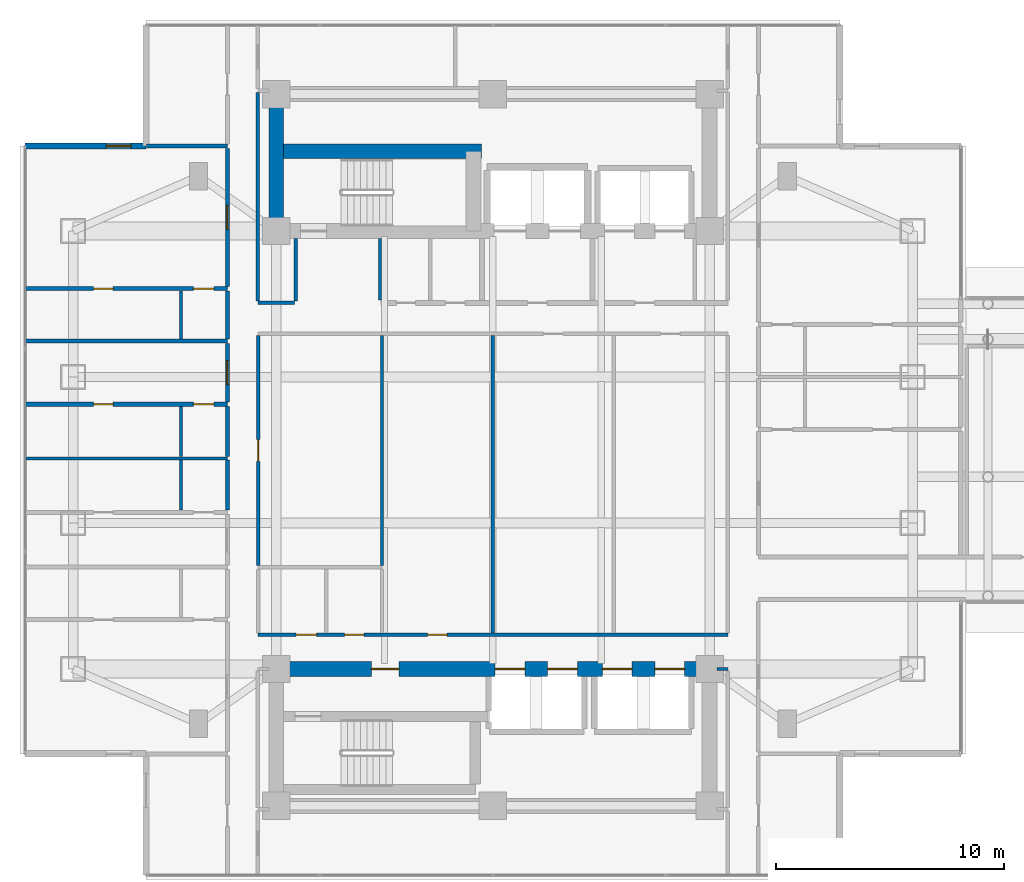
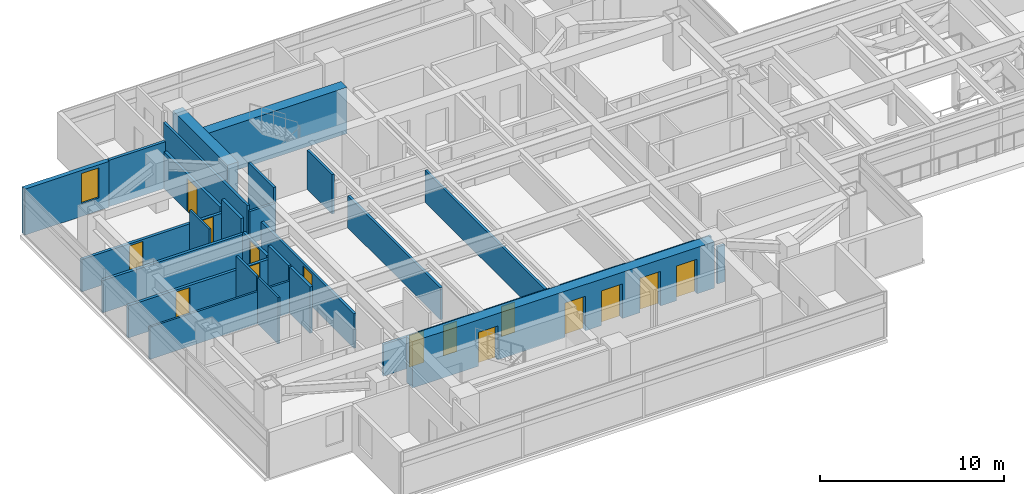
# One storey, part 16 of 28: 26 walls, 15 doors, 1 window, 16 openings.
"""IFC4 building model written with IfcOpenShell, lengths in metres."""

from ifc_helpers import new_model, si_unit, direction, frame, frame_2d, origin, place, context, subcontext, project, spatial, rectangle, extrude, material, layer, layer_set, type_object, element, fill, save


model = new_model("IFC4")

# Units and contexts
model_context = context("Model", 3, precision=1e-05, world=origin(), true_north=direction((0.0, 1.0)))
body_context = subcontext(model_context, "Body", "Model", "MODEL_VIEW")
ifc_project = project(units=[si_unit("LENGTHUNIT", "METRE"), si_unit("AREAUNIT", "SQUARE_METRE"), si_unit("VOLUMEUNIT", "CUBIC_METRE"), si_unit("PLANEANGLEUNIT", "RADIAN"), si_unit("MASSUNIT", "GRAM", prefix="KILO")], contexts=[model_context])

# Site, building, storey
site_placement = place(None, origin())
site = spatial("IfcSite", under=ifc_project, at=site_placement, CompositionType="ELEMENT")
building_placement = place(site_placement, origin())
building = spatial("IfcBuilding", under=site, at=building_placement, Name="Mirazonda Arch Towers", CompositionType="ELEMENT")
storey_placement = place(building_placement, frame((0.0, 0.0, 91.699951171875)))
storey = spatial("IfcBuildingStorey", under=building, at=storey_placement, Name="L25", CompositionType="ELEMENT", Elevation=91.699951171875)

# Walls
ifc_material_1 = material(Name="Concrete C60/75", Category="concrete")
ifc_layer_1 = layer(ifc_material_1, 0.64990234375, Name="WALL-CORE-650")
ifc_layer_set_1 = layer_set([ifc_layer_1], Name="Concrete C60/75")
wall_type_1 = type_object("IfcWallType", Name="WALL-CORE-650", PredefinedType="SHEAR", material=ifc_layer_set_1)
wall_1_placement = place(storey_placement, frame((11.0, 37.60009765625, 0.0), z_axis=(0.0, 0.0, 1.0), x_axis=(0.0, 1.0, 0.0)))
element("IfcWall", 1, at=wall_1_placement, inside=storey, type_object=wall_type_1, Name="L25 T1N-W Core Shear Wall", PredefinedType="SHEAR", context=body_context, shape_type="SweptSolid", body=[
    extrude(rectangle(XDim=6.0, YDim=0.64990234375, at=frame_2d((3.0, 0.0))), origin(), (0.0, 0.0, 1.0), 3.080078125),
])
wall_2_placement = place(storey_placement, frame((11.0, 41.093017578125, 0.0), z_axis=(0.0, 0.0, 1.0), x_axis=(1.0, 0.0, 0.0)))
element("IfcWall", 2, at=wall_2_placement, inside=storey, type_object=wall_type_1, Name="L25 T1N-STN Core Shear Wall", PredefinedType="SHEAR", context=body_context, shape_type="SweptSolid", body=[
    extrude(rectangle(XDim=9.0, YDim=0.64990234375, at=frame_2d((4.5, 0.0))), origin(), (0.0, 0.0, 1.0), 3.080078125),
])

# Wall, openings, doors
wall_3_placement = place(storey_placement, frame((11.0, 18.39990234375, 0.0), z_axis=(0.0, 0.0, 1.0), x_axis=(1.0, 0.0, 0.0)))
wall_3 = element("IfcWall", 3, at=wall_3_placement, inside=storey, type_object=wall_type_1, Name="L25 T1S-N Core Shear Wall", PredefinedType="SHEAR", context=body_context, shape_type="SweptSolid", body=[
    extrude(rectangle(XDim=19.0, YDim=0.64990234375, at=frame_2d((9.5, 0.0))), origin(), (0.0, 0.0, 1.0), 3.080078125),
])
opening_1_placement = place(wall_3_placement, frame((4.175048828125, 0.0, 0.0)))
opening_1 = element("IfcOpeningElement", 4, at=opening_1_placement, cuts=wall_3, Name="Opening DR-117", PredefinedType="OPENING", context=body_context, shape_type="SweptSolid", body=[
    extrude(rectangle(XDim=1.199951171875, YDim=2.25, at=frame_2d((0.60009765625, 1.125))), frame((0.0, 0.3349609375, 0.0), z_axis=(0.0, -1.0, 0.0), x_axis=(1.0, 0.0, 0.0)), (0.0, 0.0, 1.0), 0.669921875),
])
opening_2_placement = place(wall_3_placement, frame((9.60009765625, 0.0, 0.0)))
opening_2 = element("IfcOpeningElement", 5, at=opening_2_placement, cuts=wall_3, Name="Opening LD-111", PredefinedType="OPENING", context=body_context, shape_type="SweptSolid", body=[
    extrude(rectangle(XDim=1.300048828125, YDim=2.300048828125, at=frame_2d((0.64990234375, 1.14990234375))), frame((0.0, 0.3349609375, 0.0), z_axis=(0.0, -1.0, 0.0), x_axis=(1.0, 0.0, 0.0)), (0.0, 0.0, 1.0), 0.669921875),
])
opening_3_placement = place(wall_3_placement, frame((11.89990234375, 0.0, 0.0)))
opening_3 = element("IfcOpeningElement", 6, at=opening_3_placement, cuts=wall_3, Name="Opening LD-111", PredefinedType="OPENING", context=body_context, shape_type="SweptSolid", body=[
    extrude(rectangle(XDim=1.300048828125, YDim=2.300048828125, at=frame_2d((0.64990234375, 1.14990234375))), frame((0.0, 0.3349609375, 0.0), z_axis=(0.0, -1.0, 0.0), x_axis=(1.0, 0.0, 0.0)), (0.0, 0.0, 1.0), 0.669921875),
])
opening_4_placement = place(wall_3_placement, frame((14.300048828125, 0.0, 0.0)))
opening_4 = element("IfcOpeningElement", 7, at=opening_4_placement, cuts=wall_3, Name="Opening LD-111", PredefinedType="OPENING", context=body_context, shape_type="SweptSolid", body=[
    extrude(rectangle(XDim=1.300048828125, YDim=2.300048828125, at=frame_2d((0.64990234375, 1.14990234375))), frame((0.0, 0.3349609375, 0.0), z_axis=(0.0, -1.0, 0.0), x_axis=(1.0, 0.0, 0.0)), (0.0, 0.0, 1.0), 0.669921875),
])
opening_5_placement = place(wall_3_placement, frame((16.60009765625, 0.0, 0.0)))
opening_5 = element("IfcOpeningElement", 8, at=opening_5_placement, cuts=wall_3, Name="Opening LD-111", PredefinedType="OPENING", context=body_context, shape_type="SweptSolid", body=[
    extrude(rectangle(XDim=1.300048828125, YDim=2.300048828125, at=frame_2d((0.64990234375, 1.14990234375))), frame((0.0, 0.3349609375, 0.0), z_axis=(0.0, -1.0, 0.0), x_axis=(1.0, 0.0, 0.0)), (0.0, 0.0, 1.0), 0.669921875),
])
ifc_material_2 = material(Name="Architectural Brushed Steel S355", Category="steel")
door_type_1 = type_object("IfcDoorType", Name="DOOR-FFL-FD90-1200", OperationType="NOTDEFINED", PredefinedType="DOOR", material=ifc_material_2)
door_1_placement = place(opening_1_placement, origin())
door_1 = element("IfcDoor", 9, at=door_1_placement, inside=storey, type_object=door_type_1, Name="L25 South Core Stair & Lift Lobby Door", OperationType="SINGLE_SWING_LEFT", OverallHeight=2.25, OverallWidth=1.199951171875, PredefinedType="DOOR", context=body_context, shape_type="SweptSolid", body=[
    extrude(rectangle(XDim=1.199951171875, YDim=2.25, at=frame_2d((0.60009765625, 1.125))), frame((0.0, 0.02490234375, 0.0), z_axis=(0.0, -1.0, 0.0), x_axis=(1.0, 0.0, 0.0)), (0.0, 0.0, 1.0), 0.050048828125),
])
fill(opening_1, door_1)
door_type_2 = type_object("IfcDoorType", Name="DOOR-LIFT-LAND-1300", OperationType="NOTDEFINED", PredefinedType="DOOR", material=ifc_material_2)
door_2_placement = place(opening_2_placement, origin())
door_2 = element("IfcDoor", 10, at=door_2_placement, inside=storey, type_object=door_type_2, Name="L25 Lift Landing Sliding Door PL-T1M1", OperationType="DOUBLE_DOOR_SLIDING", OverallHeight=2.300048828125, OverallWidth=1.300048828125, PredefinedType="DOOR", context=body_context, shape_type="SweptSolid", body=[
    extrude(rectangle(XDim=1.300048828125, YDim=2.300048828125, at=frame_2d((0.64990234375, 1.14990234375))), frame((0.0, 0.02490234375, 0.0), z_axis=(0.0, -1.0, 0.0), x_axis=(1.0, 0.0, 0.0)), (0.0, 0.0, 1.0), 0.050048828125),
])
fill(opening_2, door_2)
door_3_placement = place(opening_3_placement, origin())
door_3 = element("IfcDoor", 11, at=door_3_placement, inside=storey, type_object=door_type_2, Name="L25 Lift Landing Sliding Door PL-T1M2", OperationType="DOUBLE_DOOR_SLIDING", OverallHeight=2.300048828125, OverallWidth=1.300048828125, PredefinedType="DOOR", context=body_context, shape_type="SweptSolid", body=[
    extrude(rectangle(XDim=1.300048828125, YDim=2.300048828125, at=frame_2d((0.64990234375, 1.14990234375))), frame((0.0, 0.02490234375, 0.0), z_axis=(0.0, -1.0, 0.0), x_axis=(1.0, 0.0, 0.0)), (0.0, 0.0, 1.0), 0.050048828125),
])
fill(opening_3, door_3)
door_4_placement = place(opening_4_placement, origin())
door_4 = element("IfcDoor", 12, at=door_4_placement, inside=storey, type_object=door_type_2, Name="L25 Lift Landing Sliding Door PL-T1H1", OperationType="DOUBLE_DOOR_SLIDING", OverallHeight=2.300048828125, OverallWidth=1.300048828125, PredefinedType="DOOR", context=body_context, shape_type="SweptSolid", body=[
    extrude(rectangle(XDim=1.300048828125, YDim=2.300048828125, at=frame_2d((0.64990234375, 1.14990234375))), frame((0.0, 0.02490234375, 0.0), z_axis=(0.0, -1.0, 0.0), x_axis=(1.0, 0.0, 0.0)), (0.0, 0.0, 1.0), 0.050048828125),
])
fill(opening_4, door_4)
door_5_placement = place(opening_5_placement, origin())
door_5 = element("IfcDoor", 13, at=door_5_placement, inside=storey, type_object=door_type_2, Name="L25 Lift Landing Sliding Door PL-T1H2", OperationType="DOUBLE_DOOR_SLIDING", OverallHeight=2.300048828125, OverallWidth=1.300048828125, PredefinedType="DOOR", context=body_context, shape_type="SweptSolid", body=[
    extrude(rectangle(XDim=1.300048828125, YDim=2.300048828125, at=frame_2d((0.64990234375, 1.14990234375))), frame((0.0, 0.02490234375, 0.0), z_axis=(0.0, -1.0, 0.0), x_axis=(1.0, 0.0, 0.0)), (0.0, 0.0, 1.0), 0.050048828125),
])
fill(opening_5, door_5)

# Wall, opening, window
ifc_material_3 = material(Name="Precast Concrete C40/50", Category="concrete")
ifc_layer_2 = layer(ifc_material_3, 0.280029296875, Name="WALL-EXT-WALL-280")
ifc_layer_set_2 = layer_set([ifc_layer_2], Name="Precast Concrete C40/50")
wall_type_2 = type_object("IfcWallType", Name="WALL-EXT-WALL-280", PredefinedType="SOLIDWALL", material=ifc_layer_set_2)
wall_4_placement = place(storey_placement, frame((5.294921875, 41.322998046875, 0.0), z_axis=(0.0, 0.0, 1.0), x_axis=(-1.0, 0.0, 0.0)))
wall_4 = element("IfcWall", 14, at=wall_4_placement, inside=storey, type_object=wall_type_2, Name="L25 T1 Corner Notch Return Wall WL-L25-T1-CNW1", PredefinedType="SOLIDWALL", context=body_context, shape_type="SweptSolid", body=[
    extrude(rectangle(XDim=5.304931640625, YDim=0.280029296875, at=frame_2d((2.65234375, 0.0))), origin(), (0.0, 0.0, 1.0), 3.06005859375),
])
opening_6_placement = place(wall_4_placement, frame((0.64990234375, 0.0, 0.85009765625)))
opening_6 = element("IfcOpeningElement", 15, at=opening_6_placement, cuts=wall_4, Name="Opening WN-108", PredefinedType="OPENING", context=body_context, shape_type="SweptSolid", body=[
    extrude(rectangle(XDim=1.10009765625, YDim=2.0, at=frame_2d((0.550048828125, 1.0))), frame((0.0, 0.14990234375, 0.0), z_axis=(0.0, -1.0, 0.0), x_axis=(1.0, 0.0, 0.0)), (0.0, 0.0, 1.0), 0.300048828125),
])
ifc_material_4 = material(Name="Insulated Low-E Solar Glass", Category="glass")
window_type = type_object("IfcWindowType", Name="WIN-NOTCH-1100x2000", PartitioningType="SINGLE_PANEL", PredefinedType="WINDOW", material=ifc_material_4)
window_placement = place(opening_6_placement, origin())
window = element("IfcWindow", 16, at=window_placement, inside=storey, type_object=window_type, Name="L25 Punched Facade Window WN-L25-T1-CNW1", OverallHeight=2.0, OverallWidth=1.10009765625, PartitioningType="SINGLE_PANEL", PredefinedType="WINDOW", context=body_context, shape_type="SweptSolid", body=[
    extrude(rectangle(XDim=1.10009765625, YDim=2.0, at=frame_2d((0.550048828125, 1.0))), frame((0.0, 0.030029296875, 0.0), z_axis=(0.0, -1.0, 0.0), x_axis=(1.0, 0.0, 0.0)), (0.0, 0.0, 1.0), 0.06005859375),
])
fill(opening_6, window)

# Wall
ifc_material_5 = material(Name="Fire-Rated Gypsum Stud Partition")
ifc_layer_3 = layer(ifc_material_5, 0.14990234375, Name="WALL-PART-CORR-150")
ifc_layer_set_3 = layer_set([ifc_layer_3], Name="Fire-Rated Gypsum Stud Partition")
wall_type_3 = type_object("IfcWallType", Name="WALL-PART-CORR-150", PredefinedType="PARTITIONING", material=ifc_layer_set_3)
wall_5_placement = place(storey_placement, frame((30.320068359375, 18.39990234375, 0.0), z_axis=(0.0, 0.0, 1.0), x_axis=(1.0, 0.0, 0.0)))
element("IfcWall", 17, at=wall_5_placement, inside=storey, type_object=wall_type_3, Name="L25 Interior Partition 013", PredefinedType="PARTITIONING", context=body_context, shape_type="SweptSolid", body=[
    extrude(rectangle(XDim=0.47998046875, YDim=0.14990234375, at=frame_2d((0.239990234375, 0.0))), origin(), (0.0, 0.0, 1.0), 2.4560546875),
])

# Wall, openings, doors
wall_6_placement = place(storey_placement, frame((10.199951171875, 19.89990234375, 0.0), z_axis=(0.0, 0.0, 1.0), x_axis=(1.0, 0.0, 0.0)))
wall_6 = element("IfcWall", 18, at=wall_6_placement, inside=storey, type_object=wall_type_3, Name="L25 Interior Partition 015", PredefinedType="PARTITIONING", context=body_context, shape_type="SweptSolid", body=[
    extrude(rectangle(XDim=20.60009765625, YDim=0.14990234375, at=frame_2d((10.300048828125, 0.0))), origin(), (0.0, 0.0, 1.0), 2.1240234375),
])
opening_7_placement = place(wall_6_placement, frame((1.669921875, 0.0, 0.0)))
opening_7 = element("IfcOpeningElement", 19, at=opening_7_placement, cuts=wall_6, Name="Opening DR-120", PredefinedType="OPENING", context=body_context, shape_type="SweptSolid", body=[
    extrude(rectangle(XDim=0.89990234375, YDim=2.10009765625, at=frame_2d((0.449951171875, 1.050048828125))), frame((0.0, 0.0849609375, 0.0), z_axis=(0.0, -1.0, 0.0), x_axis=(1.0, 0.0, 0.0)), (0.0, 0.0, 1.0), 0.169921875),
])
opening_8_placement = place(wall_6_placement, frame((3.794921875, 0.0, 0.0)))
opening_8 = element("IfcOpeningElement", 20, at=opening_8_placement, cuts=wall_6, Name="Opening DR-128", PredefinedType="OPENING", context=body_context, shape_type="SweptSolid", body=[
    extrude(rectangle(XDim=0.85009765625, YDim=2.010009765625, at=frame_2d((0.425048828125, 1.0048828125))), frame((0.0, 0.0849609375, 0.0), z_axis=(0.0, -1.0, 0.0), x_axis=(1.0, 0.0, 0.0)), (0.0, 0.0, 1.0), 0.169921875),
])
opening_9_placement = place(wall_6_placement, frame((7.4404296875, 0.0, 0.0)))
opening_9 = element("IfcOpeningElement", 21, at=opening_9_placement, cuts=wall_6, Name="Opening DR-128", PredefinedType="OPENING", context=body_context, shape_type="SweptSolid", body=[
    extrude(rectangle(XDim=0.85009765625, YDim=2.010009765625, at=frame_2d((0.425048828125, 1.0048828125))), frame((0.0, 0.0849609375, 0.0), z_axis=(0.0, -1.0, 0.0), x_axis=(1.0, 0.0, 0.0)), (0.0, 0.0, 1.0), 0.169921875),
])
door_type_3 = type_object("IfcDoorType", Name="DOOR-RISER-FD60-850", OperationType="NOTDEFINED", PredefinedType="DOOR", material=ifc_material_2)
door_6_placement = place(opening_8_placement, origin())
door_6 = element("IfcDoor", 22, at=door_6_placement, inside=storey, type_object=door_type_3, Name="L25 L25 West Courtyard Study Door", OperationType="SINGLE_SWING_RIGHT", OverallHeight=2.010009765625, OverallWidth=0.85009765625, PredefinedType="DOOR", context=body_context, shape_type="SweptSolid", body=[
    extrude(rectangle(XDim=0.85009765625, YDim=2.010009765625, at=frame_2d((0.425048828125, 1.0048828125))), frame((0.0, 0.02490234375, 0.0), z_axis=(0.0, -1.0, 0.0), x_axis=(1.0, 0.0, 0.0)), (0.0, 0.0, 1.0), 0.050048828125),
])
fill(opening_8, door_6)
door_7_placement = place(opening_9_placement, origin())
door_7 = element("IfcDoor", 23, at=door_7_placement, inside=storey, type_object=door_type_3, Name="L25 Executive Club Lounge Door", OperationType="SINGLE_SWING_RIGHT", OverallHeight=2.010009765625, OverallWidth=0.85009765625, PredefinedType="DOOR", context=body_context, shape_type="SweptSolid", body=[
    extrude(rectangle(XDim=0.85009765625, YDim=2.010009765625, at=frame_2d((0.425048828125, 1.0048828125))), frame((0.0, 0.02490234375, 0.0), z_axis=(0.0, -1.0, 0.0), x_axis=(1.0, 0.0, 0.0)), (0.0, 0.0, 1.0), 0.050048828125),
])
fill(opening_9, door_7)
door_type_4 = type_object("IfcDoorType", Name="DOOR-WC-900", OperationType="NOTDEFINED", PredefinedType="DOOR", material=ifc_material_2)
door_8_placement = place(opening_7_placement, origin())
door_8 = element("IfcDoor", 24, at=door_8_placement, inside=storey, type_object=door_type_4, Name="L25 Common Accessible WC Door", OperationType="SINGLE_SWING_LEFT", OverallHeight=2.10009765625, OverallWidth=0.89990234375, PredefinedType="DOOR", context=body_context, shape_type="SweptSolid", body=[
    extrude(rectangle(XDim=0.89990234375, YDim=2.10009765625, at=frame_2d((0.449951171875, 1.050048828125))), frame((0.0, 0.02490234375, 0.0), z_axis=(0.0, -1.0, 0.0), x_axis=(1.0, 0.0, 0.0)), (0.0, 0.0, 1.0), 0.050048828125),
])
fill(opening_7, door_8)

# Wall
wall_7_placement = place(storey_placement, frame((10.199951171875, 34.449951171875, 0.0), z_axis=(0.0, 0.0, 1.0), x_axis=(1.0, 0.0, 0.0)))
element("IfcWall", 25, at=wall_7_placement, inside=storey, type_object=wall_type_3, Name="L25 Interior Partition 048", PredefinedType="PARTITIONING", context=body_context, shape_type="SweptSolid", body=[
    extrude(rectangle(XDim=1.60009765625, YDim=0.14990234375, at=frame_2d((0.800048828125, 0.0))), origin(), (0.0, 0.0, 1.0), 2.1240234375),
])

# Wall, opening, door
wall_8_placement = place(storey_placement, frame((10.206787109375, 22.93505859375, 0.0), z_axis=(0.0, 0.0, 1.0), x_axis=(0.0, 1.0, 0.0)))
wall_8 = element("IfcWall", 26, at=wall_8_placement, inside=storey, type_object=wall_type_3, Name="L25 Interior Partition 082", PredefinedType="PARTITIONING", context=body_context, shape_type="SweptSolid", body=[
    extrude(rectangle(XDim=10.079833984375, YDim=0.14990234375, at=frame_2d((5.0400390625, 0.0))), origin(), (0.0, 0.0, 1.0), 2.299072265625),
])
opening_10_placement = place(wall_8_placement, frame((4.56494140625, 0.0, 0.0)))
opening_10 = element("IfcOpeningElement", 27, at=opening_10_placement, cuts=wall_8, Name="Opening DR-104", PredefinedType="OPENING", context=body_context, shape_type="SweptSolid", body=[
    extrude(rectangle(XDim=0.949951171875, YDim=2.14990234375, at=frame_2d((0.47509765625, 1.074951171875))), frame((0.0, 0.0849609375, 0.0), z_axis=(0.0, -1.0, 0.0), x_axis=(1.0, 0.0, 0.0)), (0.0, 0.0, 1.0), 0.169921875),
])
door_type_5 = type_object("IfcDoorType", Name="DOOR-ROOM-950", OperationType="NOTDEFINED", PredefinedType="DOOR", material=ifc_material_2)
door_9_placement = place(opening_10_placement, origin())
door_9 = element("IfcDoor", 28, at=door_9_placement, inside=storey, type_object=door_type_5, Name="L25 L25 West Courtyard Salon Door", OperationType="SINGLE_SWING_LEFT", OverallHeight=2.14990234375, OverallWidth=0.949951171875, PredefinedType="DOOR", context=body_context, shape_type="SweptSolid", body=[
    extrude(rectangle(XDim=0.949951171875, YDim=2.14990234375, at=frame_2d((0.47509765625, 1.074951171875))), frame((0.0, 0.02490234375, 0.0), z_axis=(0.0, -1.0, 0.0), x_axis=(1.0, 0.0, 0.0)), (0.0, 0.0, 1.0), 0.050048828125),
])
fill(opening_10, door_9)

# Walls
wall_9_placement = place(storey_placement, frame((10.199951171875, 34.534912109375, 0.0), z_axis=(0.0, 0.0, 1.0), x_axis=(0.0, 1.0, 0.0)))
element("IfcWall", 29, at=wall_9_placement, inside=storey, type_object=wall_type_3, Name="L25 Interior Partition 083", PredefinedType="PARTITIONING", context=body_context, shape_type="SweptSolid", body=[
    extrude(rectangle(XDim=9.130126953125, YDim=0.14990234375, at=frame_2d((4.56494140625, 0.0))), origin(), (0.0, 0.0, 1.0), 2.4560546875),
])
wall_10_placement = place(storey_placement, frame((11.85009765625, 34.534912109375, 0.0), z_axis=(0.0, 0.0, 1.0), x_axis=(0.0, 1.0, 0.0)))
element("IfcWall", 30, at=wall_10_placement, inside=storey, type_object=wall_type_3, Name="L25 Interior Partition 085", PredefinedType="PARTITIONING", context=body_context, shape_type="SweptSolid", body=[
    extrude(rectangle(XDim=2.7451171875, YDim=0.14990234375, at=frame_2d((1.37255859375, 0.0))), origin(), (0.0, 0.0, 1.0), 3.080078125),
])
wall_11_placement = place(storey_placement, frame((15.639892578125, 22.93505859375, 0.0), z_axis=(0.0, 0.0, 1.0), x_axis=(0.0, 1.0, 0.0)))
element("IfcWall", 31, at=wall_11_placement, inside=storey, type_object=wall_type_3, Name="L25 Interior Partition 088", PredefinedType="PARTITIONING", context=body_context, shape_type="SweptSolid", body=[
    extrude(rectangle(XDim=10.079833984375, YDim=0.14990234375, at=frame_2d((5.0400390625, 0.0))), origin(), (0.0, 0.0, 1.0), 2.1240234375),
])
wall_12_placement = place(storey_placement, frame((15.550048828125, 34.570068359375, 0.0), z_axis=(0.0, 0.0, 1.0), x_axis=(0.0, 1.0, 0.0)))
element("IfcWall", 32, at=wall_12_placement, inside=storey, type_object=wall_type_3, Name="L25 Interior Partition 089", PredefinedType="PARTITIONING", context=body_context, shape_type="SweptSolid", body=[
    extrude(rectangle(XDim=2.7099609375, YDim=0.14990234375, at=frame_2d((1.35498046875, 0.0))), origin(), (0.0, 0.0, 1.0), 2.609130859375),
])
wall_13_placement = place(storey_placement, frame((20.490966796875, 19.985107421875, 0.0), z_axis=(0.0, 0.0, 1.0), x_axis=(0.0, 1.0, 0.0)))
element("IfcWall", 33, at=wall_13_placement, inside=storey, type_object=wall_type_3, Name="L25 Interior Partition 097", PredefinedType="PARTITIONING", context=body_context, shape_type="SweptSolid", body=[
    extrude(rectangle(XDim=13.02978515625, YDim=0.14990234375, at=frame_2d((6.514892578125, 0.0))), origin(), (0.0, 0.0, 1.0), 2.1240234375),
])

# Wall, openings, doors
ifc_material_6 = material(Name="Fire-Rated Gypsum Twin-Stud Assembly")
ifc_layer_4 = layer(ifc_material_6, 0.179931640625, Name="WALL-PART-DEMISE-180")
ifc_layer_set_4 = layer_set([ifc_layer_4], Name="Fire-Rated Gypsum Twin-Stud Assembly")
wall_type_4 = type_object("IfcWallType", Name="WALL-PART-DEMISE-180", PredefinedType="PARTITIONING", material=ifc_layer_set_4)
wall_14_placement = place(storey_placement, frame((-0.010009765625, 30.0029296875, 0.0), z_axis=(0.0, 0.0, 1.0), x_axis=(1.0, 0.0, 0.0)))
wall_14 = element("IfcWall", 34, at=wall_14_placement, inside=storey, type_object=wall_type_4, Name="L25 Interior Partition 037", PredefinedType="PARTITIONING", context=body_context, shape_type="SweptSolid", body=[
    extrude(rectangle(XDim=8.8701171875, YDim=0.179931640625, at=frame_2d((4.43505859375, 0.0))), origin(), (0.0, 0.0, 1.0), 2.14501953125),
])
opening_11_placement = place(wall_14_placement, frame((3.010009765625, 0.0, 0.0)))
opening_11 = element("IfcOpeningElement", 35, at=opening_11_placement, cuts=wall_14, Name="Opening DR-128", PredefinedType="OPENING", context=body_context, shape_type="SweptSolid", body=[
    extrude(rectangle(XDim=0.85009765625, YDim=2.010009765625, at=frame_2d((0.425048828125, 1.0048828125))), frame((0.0, 0.099853515625, 0.0), z_axis=(0.0, -1.0, 0.0), x_axis=(1.0, 0.0, 0.0)), (0.0, 0.0, 1.0), 0.199951171875),
])
opening_12_placement = place(wall_14_placement, frame((7.3798828125, 0.0, 0.0)))
opening_12 = element("IfcOpeningElement", 36, at=opening_12_placement, cuts=wall_14, Name="Opening DR-120", PredefinedType="OPENING", context=body_context, shape_type="SweptSolid", body=[
    extrude(rectangle(XDim=0.89990234375, YDim=2.10009765625, at=frame_2d((0.449951171875, 1.050048828125))), frame((0.0, 0.099853515625, 0.0), z_axis=(0.0, -1.0, 0.0), x_axis=(1.0, 0.0, 0.0)), (0.0, 0.0, 1.0), 0.199951171875),
])
door_10_placement = place(opening_11_placement, origin())
door_10 = element("IfcDoor", 37, at=door_10_placement, inside=storey, type_object=door_type_3, Name="L25 Guestroom Study 3 Door", OperationType="SINGLE_SWING_LEFT", OverallHeight=2.010009765625, OverallWidth=0.85009765625, PredefinedType="DOOR", context=body_context, shape_type="SweptSolid", body=[
    extrude(rectangle(XDim=0.85009765625, YDim=2.010009765625, at=frame_2d((0.425048828125, 1.0048828125))), frame((0.0, 0.02490234375, 0.0), z_axis=(0.0, -1.0, 0.0), x_axis=(1.0, 0.0, 0.0)), (0.0, 0.0, 1.0), 0.050048828125),
])
fill(opening_11, door_10)
door_11_placement = place(opening_12_placement, origin())
door_11 = element("IfcDoor", 38, at=door_11_placement, inside=storey, type_object=door_type_4, Name="L25 En-Suite Bathroom 3 Door", OperationType="SINGLE_SWING_RIGHT", OverallHeight=2.10009765625, OverallWidth=0.89990234375, PredefinedType="DOOR", context=body_context, shape_type="SweptSolid", body=[
    extrude(rectangle(XDim=0.89990234375, YDim=2.10009765625, at=frame_2d((0.449951171875, 1.050048828125))), frame((0.0, 0.02490234375, 0.0), z_axis=(0.0, -1.0, 0.0), x_axis=(1.0, 0.0, 0.0)), (0.0, 0.0, 1.0), 0.050048828125),
])
fill(opening_12, door_11)

# Wall
wall_15_placement = place(storey_placement, frame((-0.010009765625, 32.77001953125, 0.0), z_axis=(0.0, 0.0, 1.0), x_axis=(1.0, 0.0, 0.0)))
element("IfcWall", 39, at=wall_15_placement, inside=storey, type_object=wall_type_4, Name="L25 Interior Partition 045", PredefinedType="PARTITIONING", context=body_context, shape_type="SweptSolid", body=[
    extrude(rectangle(XDim=8.8701171875, YDim=0.179931640625, at=frame_2d((4.43505859375, 0.0))), origin(), (0.0, 0.0, 1.0), 2.14501953125),
])

# Wall, openings, doors
wall_16_placement = place(storey_placement, frame((-0.010009765625, 35.070068359375, 0.0), z_axis=(0.0, 0.0, 1.0), x_axis=(1.0, 0.0, 0.0)))
wall_16 = element("IfcWall", 40, at=wall_16_placement, inside=storey, type_object=wall_type_4, Name="L25 Interior Partition 050", PredefinedType="PARTITIONING", context=body_context, shape_type="SweptSolid", body=[
    extrude(rectangle(XDim=8.8701171875, YDim=0.179931640625, at=frame_2d((4.43505859375, 0.0))), origin(), (0.0, 0.0, 1.0), 2.14501953125),
])
opening_13_placement = place(wall_16_placement, frame((3.010009765625, 0.0, 0.0)))
opening_13 = element("IfcOpeningElement", 41, at=opening_13_placement, cuts=wall_16, Name="Opening DR-128", PredefinedType="OPENING", context=body_context, shape_type="SweptSolid", body=[
    extrude(rectangle(XDim=0.85009765625, YDim=2.010009765625, at=frame_2d((0.425048828125, 1.0048828125))), frame((0.0, 0.099853515625, 0.0), z_axis=(0.0, -1.0, 0.0), x_axis=(1.0, 0.0, 0.0)), (0.0, 0.0, 1.0), 0.199951171875),
])
opening_14_placement = place(wall_16_placement, frame((7.3798828125, 0.0, 0.0)))
opening_14 = element("IfcOpeningElement", 42, at=opening_14_placement, cuts=wall_16, Name="Opening DR-120", PredefinedType="OPENING", context=body_context, shape_type="SweptSolid", body=[
    extrude(rectangle(XDim=0.89990234375, YDim=2.10009765625, at=frame_2d((0.449951171875, 1.050048828125))), frame((0.0, 0.099853515625, 0.0), z_axis=(0.0, -1.0, 0.0), x_axis=(1.0, 0.0, 0.0)), (0.0, 0.0, 1.0), 0.199951171875),
])
door_12_placement = place(opening_13_placement, origin())
door_12 = element("IfcDoor", 43, at=door_12_placement, inside=storey, type_object=door_type_3, Name="L25 Guestroom Study 4 Door", OperationType="SINGLE_SWING_RIGHT", OverallHeight=2.010009765625, OverallWidth=0.85009765625, PredefinedType="DOOR", context=body_context, shape_type="SweptSolid", body=[
    extrude(rectangle(XDim=0.85009765625, YDim=2.010009765625, at=frame_2d((0.425048828125, 1.0048828125))), frame((0.0, 0.02490234375, 0.0), z_axis=(0.0, -1.0, 0.0), x_axis=(1.0, 0.0, 0.0)), (0.0, 0.0, 1.0), 0.050048828125),
])
fill(opening_13, door_12)
door_13_placement = place(opening_14_placement, origin())
door_13 = element("IfcDoor", 44, at=door_13_placement, inside=storey, type_object=door_type_4, Name="L25 En-Suite Bathroom 4 Door", OperationType="SINGLE_SWING_LEFT", OverallHeight=2.10009765625, OverallWidth=0.89990234375, PredefinedType="DOOR", context=body_context, shape_type="SweptSolid", body=[
    extrude(rectangle(XDim=0.89990234375, YDim=2.10009765625, at=frame_2d((0.449951171875, 1.050048828125))), frame((0.0, 0.02490234375, 0.0), z_axis=(0.0, -1.0, 0.0), x_axis=(1.0, 0.0, 0.0)), (0.0, 0.0, 1.0), 0.050048828125),
])
fill(opening_14, door_13)

# Walls
wall_17_placement = place(storey_placement, frame((5.31494140625, 41.322998046875, 0.0), z_axis=(0.0, 0.0, 1.0), x_axis=(1.0, 0.0, 0.0)))
element("IfcWall", 45, at=wall_17_placement, inside=storey, type_object=wall_type_4, Name="L25 Interior Partition 061", PredefinedType="PARTITIONING", context=body_context, shape_type="SweptSolid", body=[
    extrude(rectangle(XDim=3.545166015625, YDim=0.179931640625, at=frame_2d((1.7724609375, 0.0))), origin(), (0.0, 0.0, 1.0), 3.080078125),
])
for number, where, z_axis, x_axis, name in (
    (46, (8.860107421875, 25.363037109375, 0.0), (0.0, 0.0, 1.0), (0.0, 1.0, 0.0), "L25 Interior Partition 073"),
    (47, (8.860107421875, 27.70556640625, 0.0), (0.0, 0.0, 1.0), (0.0, 1.0, 0.0), "L25 Interior Partition 074"),
):
    element("IfcWall", number, at=place(storey_placement, frame(where, z_axis=z_axis, x_axis=x_axis)), inside=storey, type_object=wall_type_4, Name=name, PredefinedType="PARTITIONING", context=body_context, shape_type="SweptSolid", body=[
        extrude(rectangle(XDim=2.197509765625, YDim=0.179931640625, at=frame_2d((1.0986328125, 0.0))), origin(), (0.0, 0.0, 1.0), 3.080078125),
    ])

# Wall, opening, door
wall_18_placement = place(storey_placement, frame((8.860107421875, 30.10302734375, 0.0), z_axis=(0.0, 0.0, 1.0), x_axis=(0.0, 1.0, 0.0)))
wall_18 = element("IfcWall", 48, at=wall_18_placement, inside=storey, type_object=wall_type_4, Name="L25 Interior Partition 075", PredefinedType="PARTITIONING", context=body_context, shape_type="SweptSolid", body=[
    extrude(rectangle(XDim=2.56689453125, YDim=0.179931640625, at=frame_2d((1.283447265625, 0.0))), origin(), (0.0, 0.0, 1.0), 2.299072265625),
])
opening_15_placement = place(wall_18_placement, frame((0.758544921875, 0.0, 0.0)))
opening_15 = element("IfcOpeningElement", 49, at=opening_15_placement, cuts=wall_18, Name="Opening DR-121", PredefinedType="OPENING", context=body_context, shape_type="SweptSolid", body=[
    extrude(rectangle(XDim=1.050048828125, YDim=2.199951171875, at=frame_2d((0.52490234375, 1.10009765625))), frame((0.0, 0.099853515625, 0.0), z_axis=(0.0, -1.0, 0.0), x_axis=(1.0, 0.0, 0.0)), (0.0, 0.0, 1.0), 0.199951171875),
])
door_type_6 = type_object("IfcDoorType", Name="DOOR-SUITE-FD60-1050", OperationType="NOTDEFINED", PredefinedType="DOOR", material=ifc_material_2)
door_14_placement = place(opening_15_placement, origin())
door_14 = element("IfcDoor", 50, at=door_14_placement, inside=storey, type_object=door_type_6, Name="L25 King Hotel Guestroom 3 Door", OperationType="SINGLE_SWING_RIGHT", OverallHeight=2.199951171875, OverallWidth=1.050048828125, PredefinedType="DOOR", context=body_context, shape_type="SweptSolid", body=[
    extrude(rectangle(XDim=1.050048828125, YDim=2.199951171875, at=frame_2d((0.52490234375, 1.10009765625))), frame((0.0, 0.02490234375, 0.0), z_axis=(0.0, -1.0, 0.0), x_axis=(1.0, 0.0, 0.0)), (0.0, 0.0, 1.0), 0.050048828125),
])
fill(opening_15, door_14)

# Wall
wall_19_placement = place(storey_placement, frame((8.860107421875, 32.8701171875, 0.0), z_axis=(0.0, 0.0, 1.0), x_axis=(0.0, 1.0, 0.0)))
element("IfcWall", 51, at=wall_19_placement, inside=storey, type_object=wall_type_4, Name="L25 Interior Partition 076", PredefinedType="PARTITIONING", context=body_context, shape_type="SweptSolid", body=[
    extrude(rectangle(XDim=2.099853515625, YDim=0.179931640625, at=frame_2d((1.0498046875, 0.0))), origin(), (0.0, 0.0, 1.0), 3.080078125),
])

# Wall, opening, door
wall_20_placement = place(storey_placement, frame((8.860107421875, 35.169921875, 0.0), z_axis=(0.0, 0.0, 1.0), x_axis=(0.0, 1.0, 0.0)))
wall_20 = element("IfcWall", 52, at=wall_20_placement, inside=storey, type_object=wall_type_4, Name="L25 Interior Partition 077", PredefinedType="PARTITIONING", context=body_context, shape_type="SweptSolid", body=[
    extrude(rectangle(XDim=6.052978515625, YDim=0.179931640625, at=frame_2d((3.0263671875, 0.0))), origin(), (0.0, 0.0, 1.0), 2.4560546875),
])
opening_16_placement = place(wall_20_placement, frame((2.50146484375, 0.0, 0.0)))
opening_16 = element("IfcOpeningElement", 53, at=opening_16_placement, cuts=wall_20, Name="Opening DR-121", PredefinedType="OPENING", context=body_context, shape_type="SweptSolid", body=[
    extrude(rectangle(XDim=1.050048828125, YDim=2.199951171875, at=frame_2d((0.52490234375, 1.10009765625))), frame((0.0, 0.099853515625, 0.0), z_axis=(0.0, -1.0, 0.0), x_axis=(1.0, 0.0, 0.0)), (0.0, 0.0, 1.0), 0.199951171875),
])
door_15_placement = place(opening_16_placement, origin())
door_15 = element("IfcDoor", 54, at=door_15_placement, inside=storey, type_object=door_type_6, Name="L25 Twin Hotel Guestroom 4 Door", OperationType="SINGLE_SWING_LEFT", OverallHeight=2.199951171875, OverallWidth=1.050048828125, PredefinedType="DOOR", context=body_context, shape_type="SweptSolid", body=[
    extrude(rectangle(XDim=1.050048828125, YDim=2.199951171875, at=frame_2d((0.52490234375, 1.10009765625))), frame((0.0, 0.02490234375, 0.0), z_axis=(0.0, -1.0, 0.0), x_axis=(1.0, 0.0, 0.0)), (0.0, 0.0, 1.0), 0.050048828125),
])
fill(opening_16, door_15)

# Walls
ifc_material_7 = material(Name="Acoustic Fire-Rated Gypsum Partition")
ifc_layer_5 = layer(ifc_material_7, 0.125, Name="WALL-PART-UNIT-125")
ifc_layer_set_5 = layer_set([ifc_layer_5], Name="Acoustic Fire-Rated Gypsum Partition")
wall_type_5 = type_object("IfcWallType", Name="WALL-PART-UNIT-125", PredefinedType="PARTITIONING", material=ifc_layer_set_5)
wall_21_placement = place(storey_placement, frame((-0.010009765625, 27.633056640625, 0.0), z_axis=(0.0, 0.0, 1.0), x_axis=(1.0, 0.0, 0.0)))
element("IfcWall", 55, at=wall_21_placement, inside=storey, type_object=wall_type_5, Name="L25 Interior Partition 033", PredefinedType="PARTITIONING", context=body_context, shape_type="SweptSolid", body=[
    extrude(rectangle(XDim=8.8701171875, YDim=0.125, at=frame_2d((4.43505859375, 0.0))), origin(), (0.0, 0.0, 1.0), 2.14501953125),
])
for number, where, z_axis, x_axis, name in (
    (56, (6.820068359375, 25.363037109375, 0.0), (0.0, 0.0, 1.0), (0.0, 1.0, 0.0), "L25 Interior Partition 066"),
    (57, (6.820068359375, 27.70556640625, 0.0), (0.0, 0.0, 1.0), (0.0, 1.0, 0.0), "L25 Interior Partition 067"),
):
    element("IfcWall", number, at=place(storey_placement, frame(where, z_axis=z_axis, x_axis=x_axis)), inside=storey, type_object=wall_type_5, Name=name, PredefinedType="PARTITIONING", context=body_context, shape_type="SweptSolid", body=[
        extrude(rectangle(XDim=2.197509765625, YDim=0.125, at=frame_2d((1.0986328125, 0.0))), origin(), (0.0, 0.0, 1.0), 3.080078125),
    ])
wall_22_placement = place(storey_placement, frame((6.820068359375, 32.8701171875, 0.0), z_axis=(0.0, 0.0, 1.0), x_axis=(0.0, 1.0, 0.0)))
element("IfcWall", 58, at=wall_22_placement, inside=storey, type_object=wall_type_5, Name="L25 Interior Partition 068", PredefinedType="PARTITIONING", context=body_context, shape_type="SweptSolid", body=[
    extrude(rectangle(XDim=2.099853515625, YDim=0.125, at=frame_2d((1.0498046875, 0.0))), origin(), (0.0, 0.0, 1.0), 3.080078125),
])

save(model, "model.ifc")
